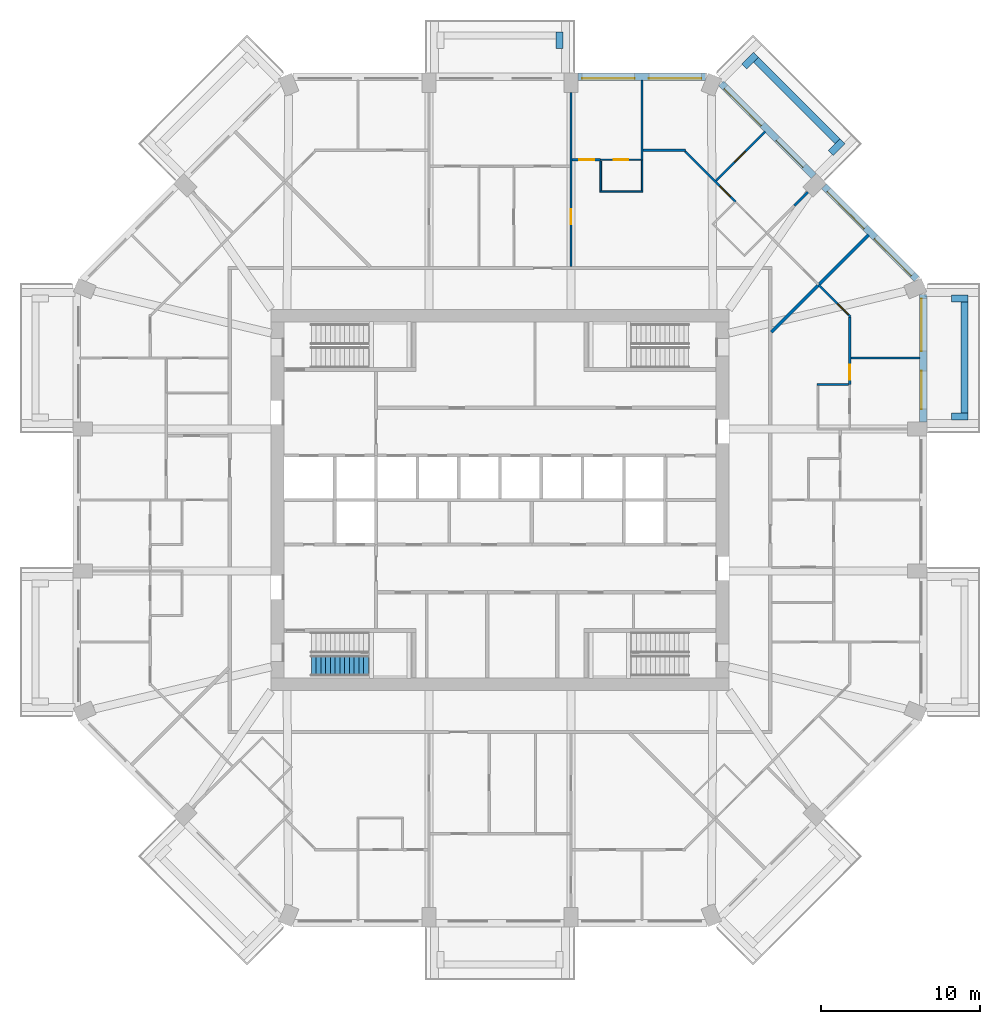
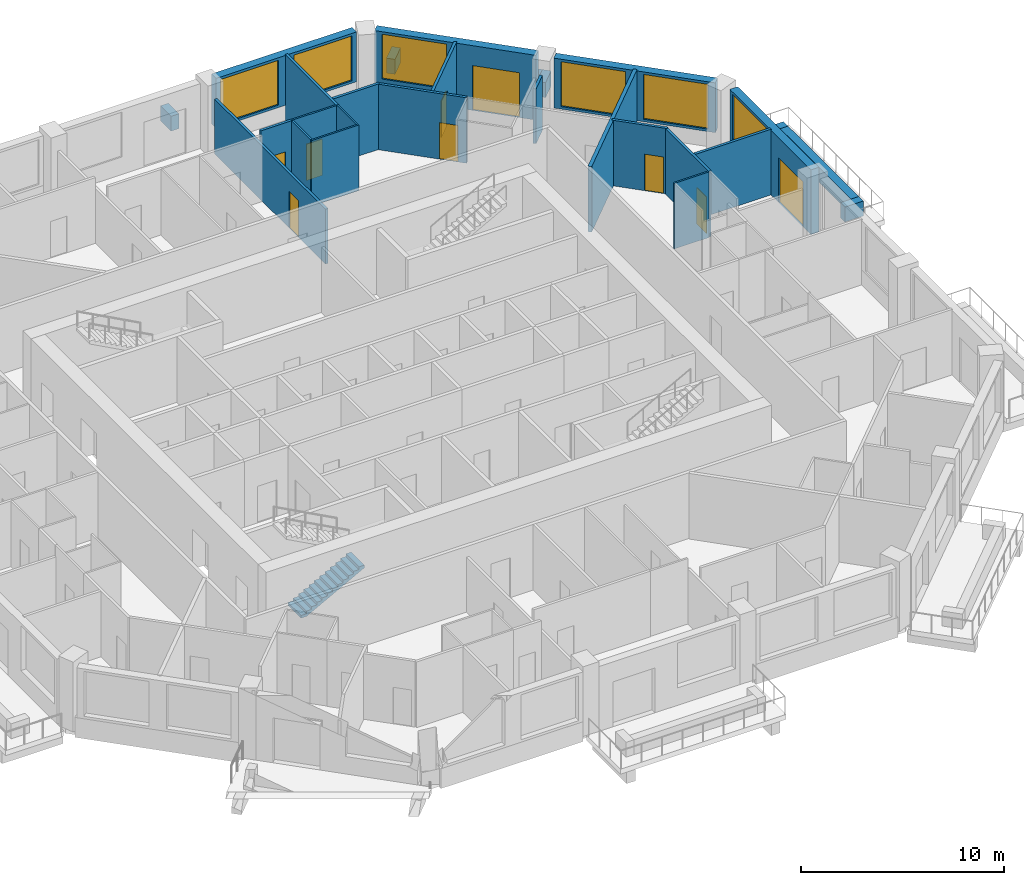
# One storey, part 10 of 13: 27 walls, 9 doors, 6 windows, 1 stair flight, 15 openings, 1 element without a shape of its own.
"""IFC4 building model written with IfcOpenShell, lengths in metres."""

from ifc_helpers import new_model, si_unit, direction, frame, frame_2d, origin, place, context, subcontext, project, spatial, polyline, rectangle, outline, extrude, material, layer, layer_set, type_object, element, fill, aggregate, save


model = new_model("IFC4")

# Units and contexts
model_context = context("Model", 3, precision=1e-05, world=origin(), true_north=direction((0.0, 1.0)))
body_context = subcontext(model_context, "Body", "Model", "MODEL_VIEW")
ifc_project = project(units=[si_unit("LENGTHUNIT", "METRE"), si_unit("AREAUNIT", "SQUARE_METRE"), si_unit("VOLUMEUNIT", "CUBIC_METRE"), si_unit("PLANEANGLEUNIT", "RADIAN"), si_unit("MASSUNIT", "GRAM", prefix="KILO")], contexts=[model_context])

# Site, building, storey
site_placement = place(None, origin())
site = spatial("IfcSite", under=ifc_project, at=site_placement, CompositionType="ELEMENT")
building_placement = place(site_placement, origin())
building = spatial("IfcBuilding", under=site, at=building_placement, Name="Msitu Wima Residences", CompositionType="ELEMENT")
storey_placement = place(building_placement, frame((0.0, 0.0, 140.10009765625)))
storey = spatial("IfcBuildingStorey", under=building, at=storey_placement, Name="L32", CompositionType="ELEMENT", Elevation=140.10009765625)

# Walls
ifc_material_1 = material(Name="Facing brick")
ifc_layer_1 = layer(ifc_material_1, 0.06494140625, Name="Facing brick")
ifc_material_2 = material(Name="Concrete C40/50", Category="concrete")
ifc_layer_2 = layer(ifc_material_2, 0.156005859375, Name="Concrete C40/50")
ifc_material_3 = material(Name="Waterproofing membrane")
ifc_layer_3 = layer(ifc_material_3, 0.00390625, Name="Waterproofing membrane")
ifc_material_4 = material(Name="Planting soil and planting")
ifc_layer_4 = layer(ifc_material_4, 0.22509765625, Name="Planting soil and planting")
ifc_layer_set_1 = layer_set([ifc_layer_1, ifc_layer_2, ifc_layer_3, ifc_layer_4], Name="Concrete C40/50")
wall_type_1 = type_object("IfcWallType", Name="Balcony planter PLANTER PL450", PredefinedType="USERDEFINED", material=ifc_layer_set_1)
wall_1_placement = place(storey_placement, frame((29.22509765625, 5.468505859375, 0.0), z_axis=(0.0, 0.0, 1.0), x_axis=(0.0, 1.0, 0.0)))
element("IfcWall", 1, at=wall_1_placement, inside=storey, type_object=wall_type_1, Name="Balcony planter E2 L32", ObjectType="PLANTER", PredefinedType="USERDEFINED", context=body_context, shape_type="SweptSolid", body=[
    extrude(rectangle(XDim=6.9873046875, YDim=0.449951171875, at=frame_2d((3.49365234375, 0.0))), origin(), (0.0, 0.0, 1.0), 0.89990234375),
])
for number, where, z_axis, x_axis, name in (
    (2, (28.39990234375, 5.24365234375, 0.0), (0.0, 0.0, 1.0), (1.0, 0.0, 0.0), "Balcony planter E2 L32"),
    (3, (28.39990234375, 12.680908203125, 0.0), (0.0, 0.0, 1.0), (1.0, 0.0, 0.0), "Balcony planter E2 L32"),
):
    element("IfcWall", number, at=place(storey_placement, frame(where, z_axis=z_axis, x_axis=x_axis)), inside=storey, type_object=wall_type_1, Name=name, ObjectType="PLANTER", PredefinedType="USERDEFINED", context=body_context, shape_type="SweptSolid", body=[
        extrude(rectangle(XDim=1.050048828125, YDim=0.449951171875, at=frame_2d((0.52490234375, 0.0))), origin(), (0.0, 0.0, 1.0), 0.89990234375),
    ])
wall_2_placement = place(storey_placement, frame((21.228759765625, 22.572265625, 0.0), z_axis=(0.0, 0.0, 1.0), x_axis=(-0.707106781187, 0.707106781187, 0.0)))
element("IfcWall", 4, at=wall_2_placement, inside=storey, type_object=wall_type_1, Name="Balcony planter NE1 L32", ObjectType="PLANTER", PredefinedType="USERDEFINED", context=body_context, shape_type="SweptSolid", body=[
    extrude(rectangle(XDim=7.23828125, YDim=0.449951171875, at=frame_2d((3.619140625, 0.0))), origin(), (0.0, 0.0, 1.0), 0.89990234375),
])
for number, where, z_axis, x_axis, name in (
    (5, (20.804443359375, 21.829833984375, 0.0), (0.0, 0.0, 1.0), (0.707106781187, 0.707106781187, 0.0), "Balcony planter NE1 L32"),
    (6, (15.3681640625, 27.26611328125, 0.0), (0.0, 0.0, 1.0), (0.706990528533, 0.707223014731, 0.0), "Balcony planter NE1 L32"),
    (7, (3.74365234375, 28.39990234375, 0.0), (0.0, 0.0, 1.0), (0.0, 1.0, 0.0), "Balcony planter N1 L32"),
):
    element("IfcWall", number, at=place(storey_placement, frame(where, z_axis=z_axis, x_axis=x_axis)), inside=storey, type_object=wall_type_1, Name=name, ObjectType="PLANTER", PredefinedType="USERDEFINED", context=body_context, shape_type="SweptSolid", body=[
        extrude(rectangle(XDim=1.050048828125, YDim=0.449951171875, at=frame_2d((0.52490234375, 0.0))), origin(), (0.0, 0.0, 1.0), 0.89990234375),
    ])

# Wall, openings, door, window
ifc_material_5 = material(Name="Brick (red buff mix)", Category="masonry")
ifc_layer_5 = layer(ifc_material_5, 0.449951171875)
ifc_layer_set_2 = layer_set([ifc_layer_5], Name="Brick (red buff mix)")
wall_type_2 = type_object("IfcWallType", Name="Brick infill wall BW450", PredefinedType="SOLIDWALL", material=ifc_layer_set_2)
wall_3_placement = place(storey_placement, frame((26.625, 4.918701171875, 0.0), z_axis=(0.0, 0.0, 1.0), x_axis=(0.0, 1.0, 0.0)))
wall_3 = element("IfcWall", 8, at=wall_3_placement, inside=storey, type_object=wall_type_2, Name="Brick infill wall L32 E2", PredefinedType="SOLIDWALL", context=body_context, shape_type="SweptSolid", body=[
    extrude(rectangle(XDim=8.0, YDim=0.449951171875, at=frame_2d((4.0, 0.0))), origin(), (0.0, 0.0, 1.0), 3.89990234375),
])
opening_1_placement = place(wall_3_placement, frame((0.800048828125, 0.0, 0.0)))
opening_1 = element("IfcOpeningElement", 9, at=opening_1_placement, cuts=wall_3, Name="Opening D30-32.002", PredefinedType="OPENING", context=body_context, shape_type="SweptSolid", body=[
    extrude(rectangle(XDim=2.39990234375, YDim=2.699951171875, at=frame_2d((1.199951171875, 1.35009765625))), frame((0.0, 0.23486328125, 0.0), z_axis=(0.0, -1.0, 0.0), x_axis=(1.0, 0.0, 0.0)), (0.0, 0.0, 1.0), 0.469970703125),
])
opening_2_placement = place(wall_3_placement, frame((4.4501953125, 0.0, 1.050048828125)))
opening_2 = element("IfcOpeningElement", 10, at=opening_2_placement, cuts=wall_3, Name="Opening W30-32.004", PredefinedType="OPENING", context=body_context, shape_type="SweptSolid", body=[
    extrude(rectangle(XDim=3.300048828125, YDim=2.699951171875, at=frame_2d((1.64990234375, 1.35009765625))), frame((0.0, 0.23486328125, 0.0), z_axis=(0.0, -1.0, 0.0), x_axis=(1.0, 0.0, 0.0)), (0.0, 0.0, 1.0), 0.469970703125),
])
ifc_material_6 = material(Name="Anodised aluminium, bronze finish, clear low-emissivity double glazing", Category="aluminium")
door_type_1 = type_object("IfcDoorType", Name="Balcony door D2400x2700", OperationType="SLIDING_TO_LEFT", PredefinedType="DOOR", material=ifc_material_6)
door_1_placement = place(opening_1_placement, origin())
door_1 = element("IfcDoor", 11, at=door_1_placement, inside=storey, type_object=door_type_1, Name="Balcony door L32 E2", OperationType="SINGLE_SWING_LEFT", OverallHeight=2.699951171875, OverallWidth=2.39990234375, PredefinedType="DOOR", context=body_context, shape_type="SweptSolid", body=[
    extrude(rectangle(XDim=2.39990234375, YDim=2.699951171875, at=frame_2d((1.199951171875, 1.35009765625))), frame((0.0, 0.1298828125, 0.0), z_axis=(0.0, -1.0, 0.0), x_axis=(1.0, 0.0, 0.0)), (0.0, 0.0, 1.0), 0.050048828125),
])
fill(opening_1, door_1)
window_type = type_object("IfcWindowType", Name="Window W3300x2700", PartitioningType="DOUBLE_PANEL_VERTICAL", PredefinedType="WINDOW", material=ifc_material_6)
window_1_placement = place(opening_2_placement, origin())
window_1 = element("IfcWindow", 12, at=window_1_placement, inside=storey, type_object=window_type, Name="Window L32 E2.2", OverallHeight=2.699951171875, OverallWidth=3.300048828125, PartitioningType="SINGLE_PANEL", PredefinedType="WINDOW", context=body_context, shape_type="SweptSolid", body=[
    extrude(rectangle(XDim=3.300048828125, YDim=2.699951171875, at=frame_2d((1.64990234375, 1.35009765625))), frame((0.0, 0.135009765625, 0.0), z_axis=(0.0, -1.0, 0.0), x_axis=(1.0, 0.0, 0.0)), (0.0, 0.0, 1.0), 0.06005859375),
])
fill(opening_2, window_1)

# Wall, openings, windows
wall_4_placement = place(storey_placement, frame((26.214599609375, 13.909423828125, 0.89990234375), z_axis=(0.0, 0.0, 1.0), x_axis=(-0.707106781187, 0.707106781187, 0.0)))
wall_4 = element("IfcWall", 13, at=wall_4_placement, inside=storey, type_object=wall_type_2, Name="Brick infill wall L32 NE0", PredefinedType="SOLIDWALL", context=body_context, shape_type="SweptSolid", body=[
    extrude(rectangle(XDim=8.251220703125, YDim=0.449951171875, at=frame_2d((4.12548828125, 0.0))), origin(), (0.0, 0.0, 1.0), 3.0),
])
opening_3_placement = place(wall_4_placement, frame((0.37548828125, 0.0, 0.14990234375)))
opening_3 = element("IfcOpeningElement", 14, at=opening_3_placement, cuts=wall_4, Name="Opening W30-32.010", PredefinedType="OPENING", context=body_context, shape_type="SweptSolid", body=[
    extrude(rectangle(XDim=3.300048828125, YDim=2.699951171875, at=frame_2d((1.64990234375, 1.35009765625))), frame((0.0, 0.23486328125, 0.0), z_axis=(0.0, -1.0, 0.0), x_axis=(1.0, 0.0, 0.0)), (0.0, 0.0, 1.0), 0.469970703125),
])
opening_4_placement = place(wall_4_placement, frame((4.57568359375, 0.0, 0.14990234375)))
opening_4 = element("IfcOpeningElement", 15, at=opening_4_placement, cuts=wall_4, Name="Opening W30-32.011", PredefinedType="OPENING", context=body_context, shape_type="SweptSolid", body=[
    extrude(rectangle(XDim=3.300048828125, YDim=2.699951171875, at=frame_2d((1.64990234375, 1.35009765625))), frame((0.0, 0.23486328125, 0.0), z_axis=(0.0, -1.0, 0.0), x_axis=(1.0, 0.0, 0.0)), (0.0, 0.0, 1.0), 0.469970703125),
])
window_2_placement = place(opening_3_placement, origin())
window_2 = element("IfcWindow", 16, at=window_2_placement, inside=storey, type_object=window_type, Name="Window L32 NE0.1", OverallHeight=2.699951171875, OverallWidth=3.300048828125, PartitioningType="SINGLE_PANEL", PredefinedType="WINDOW", context=body_context, shape_type="SweptSolid", body=[
    extrude(rectangle(XDim=3.300048828125, YDim=2.699951171875, at=frame_2d((1.64990234375, 1.35009765625))), frame((0.0, 0.135009765625, 0.0), z_axis=(0.0, -1.0, 0.0), x_axis=(1.0, 0.0, 0.0)), (0.0, 0.0, 1.0), 0.06005859375),
])
fill(opening_3, window_2)
window_3_placement = place(opening_4_placement, origin())
window_3 = element("IfcWindow", 17, at=window_3_placement, inside=storey, type_object=window_type, Name="Window L32 NE0.2", OverallHeight=2.699951171875, OverallWidth=3.300048828125, PartitioningType="SINGLE_PANEL", PredefinedType="WINDOW", context=body_context, shape_type="SweptSolid", body=[
    extrude(rectangle(XDim=3.300048828125, YDim=2.699951171875, at=frame_2d((1.64990234375, 1.35009765625))), frame((0.0, 0.135009765625, 0.0), z_axis=(0.0, -1.0, 0.0), x_axis=(1.0, 0.0, 0.0)), (0.0, 0.0, 1.0), 0.06005859375),
])
fill(opening_4, window_3)

# Wall, openings, door, window
wall_5_placement = place(storey_placement, frame((19.743896484375, 20.380126953125, 0.0), z_axis=(0.0, 0.0, 1.0), x_axis=(-0.707106781187, 0.707106781187, 0.0)))
wall_5 = element("IfcWall", 18, at=wall_5_placement, inside=storey, type_object=wall_type_2, Name="Brick infill wall L32 NE1", PredefinedType="SOLIDWALL", context=body_context, shape_type="SweptSolid", body=[
    extrude(rectangle(XDim=8.251220703125, YDim=0.449951171875, at=frame_2d((4.12548828125, 0.0))), origin(), (0.0, 0.0, 1.0), 3.89990234375),
])
opening_5_placement = place(wall_5_placement, frame((0.86279296875, 0.0, 0.0)))
opening_5 = element("IfcOpeningElement", 19, at=opening_5_placement, cuts=wall_5, Name="Opening D30-32.004", PredefinedType="OPENING", context=body_context, shape_type="SweptSolid", body=[
    extrude(rectangle(XDim=2.39990234375, YDim=2.699951171875, at=frame_2d((1.199951171875, 1.35009765625))), frame((0.0, 0.23486328125, 0.0), z_axis=(0.0, -1.0, 0.0), x_axis=(1.0, 0.0, 0.0)), (0.0, 0.0, 1.0), 0.469970703125),
])
opening_6_placement = place(wall_5_placement, frame((4.57568359375, 0.0, 1.050048828125)))
opening_6 = element("IfcOpeningElement", 20, at=opening_6_placement, cuts=wall_5, Name="Opening W30-32.012", PredefinedType="OPENING", context=body_context, shape_type="SweptSolid", body=[
    extrude(rectangle(XDim=3.300048828125, YDim=2.699951171875, at=frame_2d((1.64990234375, 1.35009765625))), frame((0.0, 0.23486328125, 0.0), z_axis=(0.0, -1.0, 0.0), x_axis=(1.0, 0.0, 0.0)), (0.0, 0.0, 1.0), 0.469970703125),
])
door_2_placement = place(opening_5_placement, origin())
door_2 = element("IfcDoor", 21, at=door_2_placement, inside=storey, type_object=door_type_1, Name="Balcony door L32 NE1", OperationType="SINGLE_SWING_LEFT", OverallHeight=2.699951171875, OverallWidth=2.39990234375, PredefinedType="DOOR", context=body_context, shape_type="SweptSolid", body=[
    extrude(rectangle(XDim=2.39990234375, YDim=2.699951171875, at=frame_2d((1.199951171875, 1.35009765625))), frame((0.0, 0.1298828125, 0.0), z_axis=(0.0, -1.0, 0.0), x_axis=(1.0, 0.0, 0.0)), (0.0, 0.0, 1.0), 0.050048828125),
])
fill(opening_5, door_2)
window_4_placement = place(opening_6_placement, origin())
window_4 = element("IfcWindow", 22, at=window_4_placement, inside=storey, type_object=window_type, Name="Window L32 NE1.2", OverallHeight=2.699951171875, OverallWidth=3.300048828125, PartitioningType="SINGLE_PANEL", PredefinedType="WINDOW", context=body_context, shape_type="SweptSolid", body=[
    extrude(rectangle(XDim=3.300048828125, YDim=2.699951171875, at=frame_2d((1.64990234375, 1.35009765625))), frame((0.0, 0.135009765625, 0.0), z_axis=(0.0, -1.0, 0.0), x_axis=(1.0, 0.0, 0.0)), (0.0, 0.0, 1.0), 0.06005859375),
])
fill(opening_6, window_4)

# Wall, openings, windows
wall_6_placement = place(storey_placement, frame((12.918701171875, 26.625, 0.89990234375), z_axis=(0.0, 0.0, 1.0), x_axis=(-1.0, 0.0, 0.0)))
wall_6 = element("IfcWall", 23, at=wall_6_placement, inside=storey, type_object=wall_type_2, Name="Brick infill wall L32 N0", PredefinedType="SOLIDWALL", context=body_context, shape_type="SweptSolid", body=[
    extrude(rectangle(XDim=8.0, YDim=0.449951171875, at=frame_2d((4.0, 0.0))), origin(), (0.0, 0.0, 1.0), 3.0),
])
opening_7_placement = place(wall_6_placement, frame((0.25, 0.0, 0.14990234375)))
opening_7 = element("IfcOpeningElement", 24, at=opening_7_placement, cuts=wall_6, Name="Opening W30-32.005", PredefinedType="OPENING", context=body_context, shape_type="SweptSolid", body=[
    extrude(rectangle(XDim=3.300048828125, YDim=2.699951171875, at=frame_2d((1.64990234375, 1.35009765625))), frame((0.0, 0.23486328125, 0.0), z_axis=(0.0, -1.0, 0.0), x_axis=(1.0, 0.0, 0.0)), (0.0, 0.0, 1.0), 0.469970703125),
])
opening_8_placement = place(wall_6_placement, frame((4.4501953125, 0.0, 0.14990234375)))
opening_8 = element("IfcOpeningElement", 25, at=opening_8_placement, cuts=wall_6, Name="Opening W30-32.006", PredefinedType="OPENING", context=body_context, shape_type="SweptSolid", body=[
    extrude(rectangle(XDim=3.300048828125, YDim=2.699951171875, at=frame_2d((1.64990234375, 1.35009765625))), frame((0.0, 0.23486328125, 0.0), z_axis=(0.0, -1.0, 0.0), x_axis=(1.0, 0.0, 0.0)), (0.0, 0.0, 1.0), 0.469970703125),
])
window_5_placement = place(opening_7_placement, origin())
window_5 = element("IfcWindow", 26, at=window_5_placement, inside=storey, type_object=window_type, Name="Window L32 N0.1", OverallHeight=2.699951171875, OverallWidth=3.300048828125, PartitioningType="SINGLE_PANEL", PredefinedType="WINDOW", context=body_context, shape_type="SweptSolid", body=[
    extrude(rectangle(XDim=3.300048828125, YDim=2.699951171875, at=frame_2d((1.64990234375, 1.35009765625))), frame((0.0, 0.135009765625, 0.0), z_axis=(0.0, -1.0, 0.0), x_axis=(1.0, 0.0, 0.0)), (0.0, 0.0, 1.0), 0.06005859375),
])
fill(opening_7, window_5)
window_6_placement = place(opening_8_placement, origin())
window_6 = element("IfcWindow", 27, at=window_6_placement, inside=storey, type_object=window_type, Name="Window L32 N0.2", OverallHeight=2.699951171875, OverallWidth=3.300048828125, PartitioningType="SINGLE_PANEL", PredefinedType="WINDOW", context=body_context, shape_type="SweptSolid", body=[
    extrude(rectangle(XDim=3.300048828125, YDim=2.699951171875, at=frame_2d((1.64990234375, 1.35009765625))), frame((0.0, 0.135009765625, 0.0), z_axis=(0.0, -1.0, 0.0), x_axis=(1.0, 0.0, 0.0)), (0.0, 0.0, 1.0), 0.06005859375),
])
fill(opening_8, window_6)

# Wall, opening, door
ifc_material_7 = material(Name="Plaster")
ifc_layer_6 = layer(ifc_material_7, 0.011962890625, Name="Plaster")
ifc_material_8 = material(Name="Concrete blockwork", Category="masonry")
ifc_layer_7 = layer(ifc_material_8, 0.1259765625, Name="Concrete blockwork")
ifc_layer_8 = layer(ifc_material_7, 0.011962890625, Name="Plaster")
ifc_layer_set_3 = layer_set([ifc_layer_6, ifc_layer_7, ifc_layer_8], Name="Concrete blockwork")
wall_type_3 = type_object("IfcWallType", Name="Partition PW150", PredefinedType="PARTITIONING", material=ifc_layer_set_3)
wall_7_placement = place(storey_placement, frame((4.46875, 14.699951171875, 0.0), z_axis=(0.0, 0.0, 1.0), x_axis=(0.0, 1.0, 0.0)))
wall_7 = element("IfcWall", 28, at=wall_7_placement, inside=storey, type_object=wall_type_3, Name="Partition", PredefinedType="PARTITIONING", context=body_context, shape_type="SweptSolid", body=[
    extrude(rectangle(XDim=10.949951171875, YDim=0.14990234375, at=frame_2d((5.47509765625, 0.0))), origin(), (0.0, 0.0, 1.0), 3.2998046875),
])
opening_9_placement = place(wall_7_placement, frame((2.64990234375, 0.0, 0.0)))
opening_9 = element("IfcOpeningElement", 29, at=opening_9_placement, cuts=wall_7, Name="Opening D30-32.040", PredefinedType="OPENING", context=body_context, shape_type="SweptSolid", body=[
    extrude(rectangle(XDim=0.949951171875, YDim=2.199951171875, at=frame_2d((0.47509765625, 1.10009765625))), frame((0.0, 0.0849609375, 0.0), z_axis=(0.0, -1.0, 0.0), x_axis=(1.0, 0.0, 0.0)), (0.0, 0.0, 1.0), 0.169921875),
])
ifc_material_9 = material(Name="Timber flush door", Category="wood")
door_type_2 = type_object("IfcDoorType", Name="Room door D12 950x2200", OperationType="SINGLE_SWING_LEFT", PredefinedType="DOOR", material=ifc_material_9)
door_3_placement = place(opening_9_placement, origin())
door_3 = element("IfcDoor", 30, at=door_3_placement, inside=storey, type_object=door_type_2, Name="Room door", OperationType="SINGLE_SWING_RIGHT", OverallHeight=2.199951171875, OverallWidth=0.949951171875, PredefinedType="DOOR", context=body_context, shape_type="SweptSolid", body=[
    extrude(rectangle(XDim=0.949951171875, YDim=2.199951171875, at=frame_2d((0.47509765625, 1.10009765625))), frame((0.0, 0.02490234375, 0.0), z_axis=(0.0, -1.0, 0.0), x_axis=(1.0, 0.0, 0.0)), (0.0, 0.0, 1.0), 0.050048828125),
])
fill(opening_9, door_3)

wall_8_placement = place(storey_placement, frame((4.543701171875, 21.39990234375, 0.0), z_axis=(0.0, 0.0, 1.0), x_axis=(1.0, 0.0, 0.0)))
wall_8 = element("IfcWall", 31, at=wall_8_placement, inside=storey, type_object=wall_type_3, Name="Partition", PredefinedType="PARTITIONING", context=body_context, shape_type="SweptSolid", body=[
    extrude(rectangle(XDim=1.7734375, YDim=0.14990234375, at=frame_2d((0.88671875, 0.0))), origin(), (0.0, 0.0, 1.0), 3.949951171875),
])
opening_10_placement = place(wall_8_placement, frame((0.449951171875, 0.0, 0.0)))
opening_10 = element("IfcOpeningElement", 32, at=opening_10_placement, cuts=wall_8, Name="Opening D30-32.090", PredefinedType="OPENING", context=body_context, shape_type="SweptSolid", body=[
    extrude(rectangle(XDim=0.949951171875, YDim=2.199951171875, at=frame_2d((0.47509765625, 1.10009765625))), frame((0.0, 0.0849609375, 0.0), z_axis=(0.0, -1.0, 0.0), x_axis=(1.0, 0.0, 0.0)), (0.0, 0.0, 1.0), 0.169921875),
])
door_4_placement = place(opening_10_placement, origin())
door_4 = element("IfcDoor", 33, at=door_4_placement, inside=storey, type_object=door_type_2, Name="Room door", OperationType="SINGLE_SWING_LEFT", OverallHeight=2.199951171875, OverallWidth=0.949951171875, PredefinedType="DOOR", context=body_context, shape_type="SweptSolid", body=[
    extrude(rectangle(XDim=0.949951171875, YDim=2.199951171875, at=frame_2d((0.47509765625, 1.10009765625))), frame((0.0, 0.02490234375, 0.0), z_axis=(0.0, -1.0, 0.0), x_axis=(1.0, 0.0, 0.0)), (0.0, 0.0, 1.0), 0.050048828125),
])
fill(opening_10, door_4)

# Walls
wall_9_placement = place(storey_placement, frame((8.937255859375, 21.3798828125, 0.0), z_axis=(0.0, 0.0, 1.0), x_axis=(0.0, 1.0, 0.0)))
element("IfcWall", 34, at=wall_9_placement, inside=storey, type_object=wall_type_3, Name="Partition", PredefinedType="PARTITIONING", context=body_context, shape_type="SweptSolid", body=[
    extrude(rectangle(XDim=5.045166015625, YDim=0.14990234375, at=frame_2d((2.5224609375, 0.0))), origin(), (0.0, 0.0, 1.0), 3.949951171875),
])
wall_10_placement = place(storey_placement, frame((9.01220703125, 22.0, 0.0), z_axis=(0.0, 0.0, 1.0), x_axis=(1.0, 0.0, 0.0)))
element("IfcWall", 35, at=wall_10_placement, inside=storey, type_object=wall_type_3, Name="Partition", PredefinedType="PARTITIONING", context=body_context, shape_type="SweptSolid", body=[
    extrude(rectangle(XDim=2.646240234375, YDim=0.14990234375, at=frame_2d((1.3232421875, 0.0))), origin(), (0.0, 0.0, 1.0), 3.949951171875),
])

# Wall, opening, door
wall_11_placement = place(storey_placement, frame((11.636474609375, 21.947021484375, 0.0), z_axis=(0.0, 0.0, 1.0), x_axis=(0.707079597841, -0.707133963487, 0.0)))
wall_11 = element("IfcWall", 36, at=wall_11_placement, inside=storey, type_object=wall_type_3, Name="Partition", PredefinedType="PARTITIONING", context=body_context, shape_type="SweptSolid", body=[
    extrude(rectangle(XDim=4.49072265625, YDim=0.14990234375, at=frame_2d((2.245361328125, 0.0))), origin(), (0.0, 0.0, 1.0), 3.949951171875),
])
opening_11_placement = place(wall_11_placement, frame((3.10009765625, 0.0, 0.0)))
opening_11 = element("IfcOpeningElement", 37, at=opening_11_placement, cuts=wall_11, Name="Opening D30-32.084", PredefinedType="OPENING", context=body_context, shape_type="SweptSolid", body=[
    extrude(rectangle(XDim=0.949951171875, YDim=2.199951171875, at=frame_2d((0.47509765625, 1.10009765625))), frame((0.0, 0.0849609375, 0.0), z_axis=(0.0, -1.0, 0.0), x_axis=(1.0, 0.0, 0.0)), (0.0, 0.0, 1.0), 0.169921875),
])
door_5_placement = place(opening_11_placement, origin())
door_5 = element("IfcDoor", 38, at=door_5_placement, inside=storey, type_object=door_type_2, Name="Room door", OperationType="SINGLE_SWING_LEFT", OverallHeight=2.199951171875, OverallWidth=0.949951171875, PredefinedType="DOOR", context=body_context, shape_type="SweptSolid", body=[
    extrude(rectangle(XDim=0.949951171875, YDim=2.199951171875, at=frame_2d((0.47509765625, 1.10009765625))), frame((0.0, 0.02490234375, 0.0), z_axis=(0.0, -1.0, 0.0), x_axis=(1.0, 0.0, 0.0)), (0.0, 0.0, 1.0), 0.050048828125),
])
fill(opening_11, door_5)

wall_12_placement = place(storey_placement, frame((13.59619140625, 20.09326171875, 0.0), z_axis=(0.0, 0.0, 1.0), x_axis=(0.707106781187, 0.707106781187, 0.0)))
wall_12 = element("IfcWall", 39, at=wall_12_placement, inside=storey, type_object=wall_type_3, Name="Partition", PredefinedType="PARTITIONING", context=body_context, shape_type="SweptSolid", body=[
    extrude(rectangle(XDim=4.380126953125, YDim=0.14990234375, at=frame_2d((2.18994140625, 0.0))), origin(), (0.0, 0.0, 1.0), 3.949951171875),
])
opening_12_placement = place(wall_12_placement, frame((1.64990234375, 0.0, 0.0)))
opening_12 = element("IfcOpeningElement", 40, at=opening_12_placement, cuts=wall_12, Name="Opening D30-32.092", PredefinedType="OPENING", context=body_context, shape_type="SweptSolid", body=[
    extrude(rectangle(XDim=0.949951171875, YDim=2.199951171875, at=frame_2d((0.47509765625, 1.10009765625))), frame((0.0, 0.0849609375, 0.0), z_axis=(0.0, -1.0, 0.0), x_axis=(1.0, 0.0, 0.0)), (0.0, 0.0, 1.0), 0.169921875),
])
door_6_placement = place(opening_12_placement, origin())
door_6 = element("IfcDoor", 41, at=door_6_placement, inside=storey, type_object=door_type_2, Name="Room door", OperationType="SINGLE_SWING_LEFT", OverallHeight=2.199951171875, OverallWidth=0.949951171875, PredefinedType="DOOR", context=body_context, shape_type="SweptSolid", body=[
    extrude(rectangle(XDim=0.949951171875, YDim=2.199951171875, at=frame_2d((0.47509765625, 1.10009765625))), frame((0.0, 0.02490234375, 0.0), z_axis=(0.0, -1.0, 0.0), x_axis=(1.0, 0.0, 0.0)), (0.0, 0.0, 1.0), 0.050048828125),
])
fill(opening_12, door_6)

# Wall
wall_13_placement = place(storey_placement, frame((18.517578125, 18.517578125, 0.0), z_axis=(0.0, 0.0, 1.0), x_axis=(0.707106781187, 0.707106781187, 0.0)))
element("IfcWall", 42, at=wall_13_placement, inside=storey, type_object=wall_type_3, Name="Partition", PredefinedType="PARTITIONING", context=body_context, shape_type="SweptSolid", body=[
    extrude(rectangle(XDim=1.209228515625, YDim=0.14990234375, at=frame_2d((0.6044921875, 0.0))), origin(), (0.0, 0.0, 1.0), 3.2998046875),
])

# Wall, opening, door
wall_14_placement = place(storey_placement, frame((20.040283203125, 13.543212890625, 0.0), z_axis=(0.0, 0.0, 1.0), x_axis=(0.707063896341, -0.707149663432, 0.0)))
wall_14 = element("IfcWall", 43, at=wall_14_placement, inside=storey, type_object=wall_type_3, Name="Partition", PredefinedType="PARTITIONING", context=body_context, shape_type="SweptSolid", body=[
    extrude(rectangle(XDim=2.846435546875, YDim=0.14990234375, at=frame_2d((1.42333984375, 0.0))), origin(), (0.0, 0.0, 1.0), 3.949951171875),
])
opening_13_placement = place(wall_14_placement, frame((1.699951171875, 0.0, 0.0)))
opening_13 = element("IfcOpeningElement", 44, at=opening_13_placement, cuts=wall_14, Name="Opening D30-32.088", PredefinedType="OPENING", context=body_context, shape_type="SweptSolid", body=[
    extrude(rectangle(XDim=0.949951171875, YDim=2.199951171875, at=frame_2d((0.47509765625, 1.10009765625))), frame((0.0, 0.0849609375, 0.0), z_axis=(0.0, -1.0, 0.0), x_axis=(1.0, 0.0, 0.0)), (0.0, 0.0, 1.0), 0.169921875),
])
door_7_placement = place(opening_13_placement, origin())
door_7 = element("IfcDoor", 45, at=door_7_placement, inside=storey, type_object=door_type_2, Name="Room door", OperationType="SINGLE_SWING_LEFT", OverallHeight=2.199951171875, OverallWidth=0.949951171875, PredefinedType="DOOR", context=body_context, shape_type="SweptSolid", body=[
    extrude(rectangle(XDim=0.949951171875, YDim=2.199951171875, at=frame_2d((0.47509765625, 1.10009765625))), frame((0.0, 0.02490234375, 0.0), z_axis=(0.0, -1.0, 0.0), x_axis=(1.0, 0.0, 0.0)), (0.0, 0.0, 1.0), 0.050048828125),
])
fill(opening_13, door_7)

wall_15_placement = place(storey_placement, frame((22.0, 7.2685546875, 0.0), z_axis=(0.0, 0.0, 1.0), x_axis=(0.0, 1.0, 0.0)))
wall_15 = element("IfcWall", 46, at=wall_15_placement, inside=storey, type_object=wall_type_3, Name="Partition", PredefinedType="PARTITIONING", context=body_context, shape_type="SweptSolid", body=[
    extrude(rectangle(XDim=4.23974609375, YDim=0.14990234375, at=frame_2d((2.119873046875, 0.0))), origin(), (0.0, 0.0, 1.0), 3.949951171875),
])
opening_14_placement = place(wall_15_placement, frame((0.300048828125, 0.0, 0.0)))
opening_14 = element("IfcOpeningElement", 47, at=opening_14_placement, cuts=wall_15, Name="Opening D30-32.077", PredefinedType="OPENING", context=body_context, shape_type="SweptSolid", body=[
    extrude(rectangle(XDim=0.949951171875, YDim=2.199951171875, at=frame_2d((0.47509765625, 1.10009765625))), frame((0.0, 0.0849609375, 0.0), z_axis=(0.0, -1.0, 0.0), x_axis=(1.0, 0.0, 0.0)), (0.0, 0.0, 1.0), 0.169921875),
])
door_8_placement = place(opening_14_placement, origin())
door_8 = element("IfcDoor", 48, at=door_8_placement, inside=storey, type_object=door_type_2, Name="Room door", OperationType="SINGLE_SWING_LEFT", OverallHeight=2.199951171875, OverallWidth=0.949951171875, PredefinedType="DOOR", context=body_context, shape_type="SweptSolid", body=[
    extrude(rectangle(XDim=0.949951171875, YDim=2.199951171875, at=frame_2d((0.47509765625, 1.10009765625))), frame((0.0, 0.02490234375, 0.0), z_axis=(0.0, -1.0, 0.0), x_axis=(1.0, 0.0, 0.0)), (0.0, 0.0, 1.0), 0.050048828125),
])
fill(opening_14, door_8)

# Walls
wall_16_placement = place(storey_placement, frame((22.074951171875, 8.937255859375, 0.0), z_axis=(0.0, 0.0, 1.0), x_axis=(1.0, 0.0, 0.0)))
element("IfcWall", 49, at=wall_16_placement, inside=storey, type_object=wall_type_3, Name="Partition", PredefinedType="PARTITIONING", context=body_context, shape_type="SweptSolid", body=[
    extrude(rectangle(XDim=4.35009765625, YDim=0.14990234375, at=frame_2d((2.175048828125, 0.0))), origin(), (0.0, 0.0, 1.0), 3.949951171875),
])
ifc_layer_9 = layer(ifc_material_7, 0.011962890625, Name="Plaster")
ifc_material_10 = material(Name="Dense concrete blockwork", Category="masonry")
ifc_layer_10 = layer(ifc_material_10, 0.176025390625, Name="Dense concrete blockwork")
ifc_layer_11 = layer(ifc_material_7, 0.011962890625, Name="Plaster")
ifc_layer_set_4 = layer_set([ifc_layer_9, ifc_layer_10, ifc_layer_11], Name="Dense concrete blockwork")
wall_type_4 = type_object("IfcWallType", Name="Party wall PW200", PredefinedType="PARTITIONING", material=ifc_layer_set_4)
wall_17_placement = place(storey_placement, frame((17.07080078125, 10.57373046875, 0.0), z_axis=(0.0, 0.0, 1.0), x_axis=(0.707106781187, 0.707106781187, 0.0)))
element("IfcWall", 50, at=wall_17_placement, inside=storey, type_object=wall_type_4, Name="Party wall", PredefinedType="PARTITIONING", context=body_context, shape_type="SweptSolid", body=[
    extrude(rectangle(XDim=8.654541015625, YDim=0.199951171875, at=frame_2d((4.3271484375, 0.0))), origin(), (0.0, 0.0, 1.0), 3.949951171875),
])

# Wall, opening, door
ifc_material_11 = material(Name="Ceramic tiles")
ifc_layer_12 = layer(ifc_material_11, 0.008056640625, Name="Ceramic tiles")
ifc_material_12 = material(Name="Moisture-resistant board")
ifc_layer_13 = layer(ifc_material_12, 0.012451171875, Name="Moisture-resistant board")
ifc_material_13 = material(Name="Light-gauge stud framing with mineral wool")
ifc_layer_14 = layer(ifc_material_13, 0.06689453125, Name="Light-gauge stud framing with mineral wool")
ifc_layer_15 = layer(ifc_material_12, 0.012451171875, Name="Moisture-resistant board")
ifc_layer_set_5 = layer_set([ifc_layer_12, ifc_layer_13, ifc_layer_14, ifc_layer_15], Name="Light-gauge stud framing with mineral wool")
wall_type_5 = type_object("IfcWallType", Name="Wet wall PW100", PredefinedType="PARTITIONING", material=ifc_layer_set_5)
wall_18_placement = place(storey_placement, frame((6.317138671875, 21.39990234375, 0.0), z_axis=(0.0, 0.0, 1.0), x_axis=(1.0, 0.0, 0.0)))
wall_18 = element("IfcWall", 51, at=wall_18_placement, inside=storey, type_object=wall_type_5, Name="Wet wall", PredefinedType="PARTITIONING", context=body_context, shape_type="SweptSolid", body=[
    extrude(rectangle(XDim=2.545166015625, YDim=0.10009765625, at=frame_2d((1.2724609375, 0.0))), origin(), (0.0, 0.0, 1.0), 3.949951171875),
])
opening_15_placement = place(wall_18_placement, frame((0.85009765625, 0.0, 0.0)))
opening_15 = element("IfcOpeningElement", 52, at=opening_15_placement, cuts=wall_18, Name="Opening D30-32.091", PredefinedType="OPENING", context=body_context, shape_type="SweptSolid", body=[
    extrude(rectangle(XDim=0.89990234375, YDim=2.199951171875, at=frame_2d((0.449951171875, 1.10009765625))), frame((0.0, 0.06005859375, 0.0), z_axis=(0.0, -1.0, 0.0), x_axis=(1.0, 0.0, 0.0)), (0.0, 0.0, 1.0), 0.1201171875),
])
ifc_material_14 = material(Name="Timber flush door, moisture resistant", Category="wood")
door_type_3 = type_object("IfcDoorType", Name="Bathroom door D03 900x2200", OperationType="SINGLE_SWING_LEFT", PredefinedType="DOOR", material=ifc_material_14)
door_9_placement = place(opening_15_placement, origin())
door_9 = element("IfcDoor", 53, at=door_9_placement, inside=storey, type_object=door_type_3, Name="Bathroom door", OperationType="SINGLE_SWING_RIGHT", OverallHeight=2.199951171875, OverallWidth=0.89990234375, PredefinedType="DOOR", context=body_context, shape_type="SweptSolid", body=[
    extrude(rectangle(XDim=0.89990234375, YDim=2.199951171875, at=frame_2d((0.449951171875, 1.10009765625))), frame((0.0, 0.02490234375, 0.0), z_axis=(0.0, -1.0, 0.0), x_axis=(1.0, 0.0, 0.0)), (0.0, 0.0, 1.0), 0.050048828125),
])
fill(opening_15, door_9)

# Walls
wall_19_placement = place(storey_placement, frame((6.337158203125, 19.449951171875, 0.0), z_axis=(0.0, 0.0, 1.0), x_axis=(0.0, 1.0, 0.0)))
element("IfcWall", 54, at=wall_19_placement, inside=storey, type_object=wall_type_5, Name="Wet wall", PredefinedType="PARTITIONING", context=body_context, shape_type="SweptSolid", body=[
    extrude(rectangle(XDim=1.875, YDim=0.10009765625, at=frame_2d((0.9375, 0.0))), origin(), (0.0, 0.0, 1.0), 3.949951171875),
])
wall_20_placement = place(storey_placement, frame((6.287353515625, 19.39990234375, 0.0), z_axis=(0.0, 0.0, 1.0), x_axis=(1.0, 0.0, 0.0)))
element("IfcWall", 55, at=wall_20_placement, inside=storey, type_object=wall_type_5, Name="Wet wall", PredefinedType="PARTITIONING", context=body_context, shape_type="SweptSolid", body=[
    extrude(rectangle(XDim=2.699951171875, YDim=0.10009765625, at=frame_2d((1.35009765625, 0.0))), origin(), (0.0, 0.0, 1.0), 3.949951171875),
])
wall_21_placement = place(storey_placement, frame((8.937255859375, 19.449951171875, 0.0), z_axis=(0.0, 0.0, 1.0), x_axis=(0.0, 1.0, 0.0)))
element("IfcWall", 56, at=wall_21_placement, inside=storey, type_object=wall_type_5, Name="Wet wall", PredefinedType="PARTITIONING", context=body_context, shape_type="SweptSolid", body=[
    extrude(rectangle(XDim=1.929931640625, YDim=0.10009765625, at=frame_2d((0.96484375, 0.0))), origin(), (0.0, 0.0, 1.0), 3.949951171875),
])
wall_22_placement = place(storey_placement, frame((19.949951171875, 7.2685546875, 0.0), z_axis=(0.0, 0.0, 1.0), x_axis=(1.0, 0.0, 0.0)))
element("IfcWall", 57, at=wall_22_placement, inside=storey, type_object=wall_type_5, Name="Wet wall", PredefinedType="PARTITIONING", context=body_context, shape_type="SweptSolid", body=[
    extrude(rectangle(XDim=1.97509765625, YDim=0.10009765625, at=frame_2d((0.987548828125, 0.0))), origin(), (0.0, 0.0, 1.0), 3.949951171875),
])

# Stair, stair flight
stair_type = type_object("IfcStairType", Name="Exit stair ES1615-130", PredefinedType="HALF_TURN_STAIR", material=ifc_material_2)
stair_placement = place(storey_placement, origin())
stair = element("IfcStair", 58, at=stair_placement, inside=storey, type_object=stair_type, Name="Exit stair 2", PredefinedType="HALF_TURN_STAIR")
stair_flight_type = type_object("IfcStairFlightType", Name="Exit stair flight ES1615-130", PredefinedType="STRAIGHT", material=ifc_material_2)
stair_flight_placement = place(storey_placement, frame((-11.875, -10.425048828125, 0.0), z_axis=(0.0, 0.0, 1.0), x_axis=(1.0, 0.0, 0.0)))
stair_flight = element("IfcStairFlight", 59, at=stair_flight_placement, type_object=stair_flight_type, Name="S2 flight 1", NumberOfRisers=13, NumberOfTreads=12, PredefinedType="STRAIGHT", RiserHeight=0.161538462, TreadLength=0.3, context=body_context, shape_type="SweptSolid", body=[
    extrude(outline(polyline([(0.0, 0.0), (0.0, 0.16162109375), (0.300048828125, 0.16162109375), (0.300048828125, 0.322998046875), (0.60009765625, 0.322998046875), (0.60009765625, 0.484619140625), (0.89990234375, 0.484619140625), (0.89990234375, 0.646240234375), (1.199951171875, 0.646240234375), (1.199951171875, 0.8076171875), (1.5, 0.8076171875), (1.5, 0.96923828125), (1.800048828125, 0.96923828125), (1.800048828125, 1.130859375), (2.10009765625, 1.130859375), (2.10009765625, 1.292236328125), (2.39990234375, 1.292236328125), (2.39990234375, 1.453857421875), (2.699951171875, 1.453857421875), (2.699951171875, 1.615478515625), (3.0, 1.615478515625), (3.0, 1.77685546875), (3.300048828125, 1.77685546875), (3.300048828125, 1.9384765625), (3.60009765625, 1.9384765625), (3.60009765625, 2.10009765625), (3.60009765625, 1.768310546875), (0.316162109375, 0.0), (0.0, 0.0)])), frame((0.0, 0.64990234375, 0.0), z_axis=(0.0, -1.0, 0.0), x_axis=(1.0, 0.0, 0.0)), (0.0, 0.0, 1.0), 1.300048828125),
])
aggregate(stair, [stair_flight])

save(model, "model.ifc")
